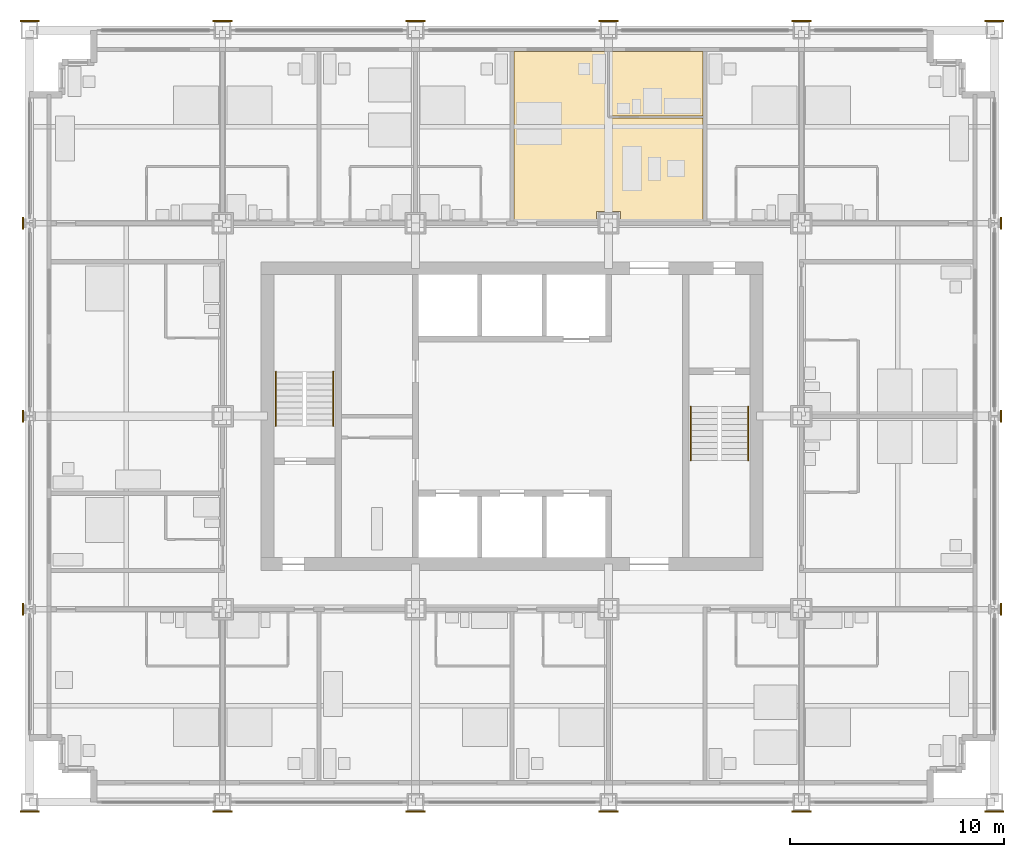
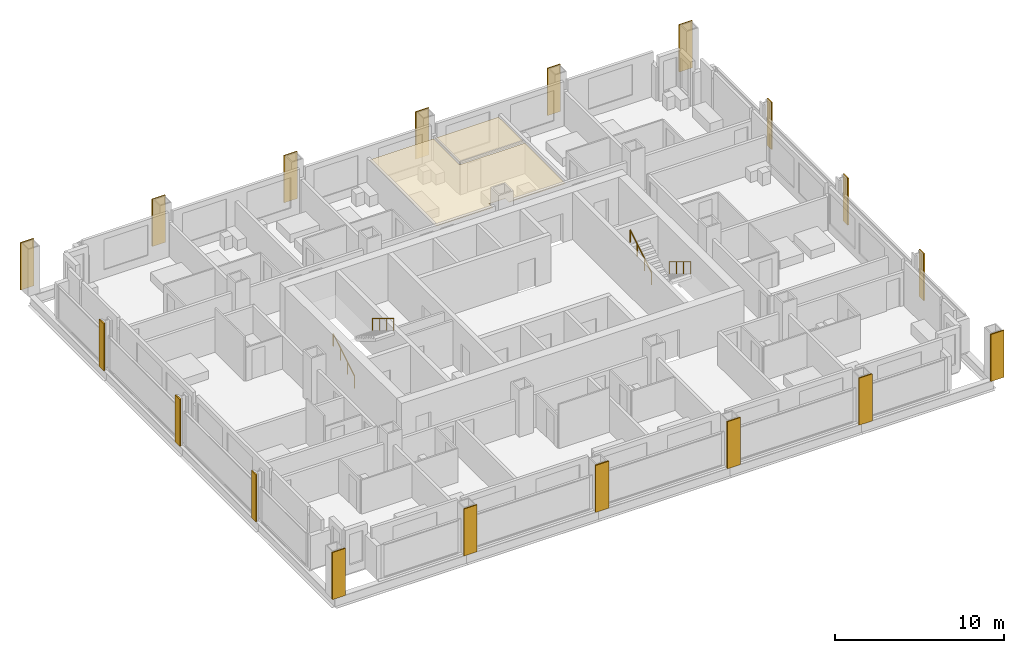
# One storey, part 14 of 16: 20 coverings, 4 railings.
"""IFC4 building model written with IfcOpenShell, lengths in metres."""

import ifcopenshell
import ifcopenshell.guid

model = None  # the IFC model being written
_history = None  # IfcOwnerHistory: only IFC2X3 demands one
_inside = {}  # id of a spatial element -> (the spatial element, [elements in it])
_under = {}  # id of a project, library or spatial element -> (it, [spatial elements below it])
_declared = {}  # id of a project -> (the project, [libraries it declares])
_typed = {}  # id of a type object -> (the type object, [elements of that type])
_made_of = {}  # id of a material, layer set ... -> (it, [elements and type objects made of it])


def new_model(schema):
    """Start an empty IFC model of exactly this schema.

    Asked for "IFC4X3", IfcOpenShell would pick the latest addendum, in which some entities
    have other attributes; the version numbers below select the first issue.
    IFC2X3 requires an IfcOwnerHistory on every rooted entity: one is made here for all.
    """
    global model, _history
    if schema == "IFC4X3":
        model = ifcopenshell.file(schema_version=(4, 3, 0, 0))
    else:
        model = ifcopenshell.file(schema=schema)
    _inside.clear()
    _under.clear()
    _declared.clear()
    _typed.clear()
    _made_of.clear()
    _history = None
    if model.schema == "IFC2X3":
        org = make("IfcOrganization", Name="unknown")
        user = make(
            "IfcPersonAndOrganization",
            ThePerson=make("IfcPerson", FamilyName="unknown"),
            TheOrganization=org,
        )
        app = make(
            "IfcApplication",
            ApplicationDeveloper=org,
            Version="unknown",
            ApplicationFullName="unknown",
            ApplicationIdentifier="unknown",
        )
        _history = make(
            "IfcOwnerHistory",
            OwningUser=user,
            OwningApplication=app,
            ChangeAction="ADDED",
            CreationDate=0,
        )
    return model


def make(cls, **values):
    """One entity of the class cls with the attributes given. An attribute that is None is left unset."""
    return model.create_entity(
        cls, **{name: value for name, value in values.items() if value is not None}
    )


def rooted(cls, **values):
    """An entity with a GlobalId (a new one), such as an element, a storey or a relation."""
    return make(cls, GlobalId=ifcopenshell.guid.new(), OwnerHistory=_history, **values)


def si_unit(unit_type, name, prefix=None):
    """IfcSIUnit, for example si_unit("LENGTHUNIT", "METRE", prefix="MILLI")."""
    return make("IfcSIUnit", UnitType=unit_type, Prefix=prefix, Name=name)


def assignment(units):
    """IfcUnitAssignment: the units of a project."""
    return None if units is None else make("IfcUnitAssignment", Units=units)


def point(xyz):
    """IfcCartesianPoint."""
    return None if xyz is None else make("IfcCartesianPoint", Coordinates=xyz)


def direction(xyz):
    """IfcDirection."""
    return None if xyz is None else make("IfcDirection", DirectionRatios=xyz)


def frame(location, z_axis=None, x_axis=None):
    """IfcAxis2Placement3D, a coordinate frame: its origin and axes. An axis left out is left unset."""
    return make(
        "IfcAxis2Placement3D",
        Location=point(location),
        Axis=direction(z_axis),
        RefDirection=direction(x_axis),
    )


def frame_2d(location, x_axis=None):
    """IfcAxis2Placement2D, a coordinate frame in the plane: its origin and x axis."""
    return make(
        "IfcAxis2Placement2D", Location=point(location), RefDirection=direction(x_axis)
    )


def origin():
    """The frame at (0, 0, 0) with its axes left unset."""
    return frame((0.0, 0.0, 0.0))


def origin_2d():
    """The frame at (0, 0) in the plane with its x axis left unset."""
    return frame_2d((0.0, 0.0))


def place(relative_to, where):
    """IfcLocalPlacement: puts the frame where relative to a parent placement (None: the world)."""
    return make(
        "IfcLocalPlacement", PlacementRelTo=relative_to, RelativePlacement=where
    )


def context(
    kind, dimensions, precision=None, world=None, true_north=None, identifier=None
):
    """IfcGeometricRepresentationContext, for example the 3D "Model" context."""
    return make(
        "IfcGeometricRepresentationContext",
        ContextIdentifier=identifier,
        ContextType=kind,
        CoordinateSpaceDimension=dimensions,
        Precision=precision,
        WorldCoordinateSystem=world,
        TrueNorth=true_north,
    )


def subcontext(parent, identifier, kind, view, scale=None):
    """IfcGeometricRepresentationSubContext, for example "Body" below "Model"."""
    return make(
        "IfcGeometricRepresentationSubContext",
        ContextIdentifier=identifier,
        ContextType=kind,
        ParentContext=parent,
        TargetScale=scale,
        TargetView=view,
    )


def project(units=None, contexts=None):
    """IfcProject with its units and contexts."""
    return rooted(
        "IfcProject",
        Name="project",
        RepresentationContexts=contexts,
        UnitsInContext=assignment(units),
    )


def spatial(cls, under=None, at=None, **own):
    """A site, building, storey or space (cls), placed at a placement, below another one or the project."""
    s = rooted(cls, ObjectPlacement=at, **own)
    if under is not None:
        _under.setdefault(under.id(), (under, []))[1].append(s)
    return s


def polyline(points):
    """IfcPolyline through the points."""
    return make("IfcPolyline", Points=[point(p) for p in points])


def profile(cls, at=None, kind="AREA", **sizes):
    """A parametric profile (cls). Its sizes go by their IFC names, for example OverallWidth=200.0."""
    return make(cls, ProfileType=kind, Position=at, **sizes)


def rectangle(**sizes):
    """IfcRectangleProfileDef."""
    return profile("IfcRectangleProfileDef", **sizes)


def circle(**sizes):
    """IfcCircleProfileDef."""
    return profile("IfcCircleProfileDef", **sizes)


def outline(outer, holes=None, kind="AREA"):
    """IfcArbitraryClosedProfileDef: a profile drawn as a closed curve; with holes, ...WithVoids."""
    if holes is None:
        return make("IfcArbitraryClosedProfileDef", ProfileType=kind, OuterCurve=outer)
    return make(
        "IfcArbitraryProfileDefWithVoids",
        ProfileType=kind,
        OuterCurve=outer,
        InnerCurves=holes,
    )


def extrude(swept, where, along, depth):
    """IfcExtrudedAreaSolid: the profile swept, set in the frame where, extruded along a direction by depth."""
    return make(
        "IfcExtrudedAreaSolid",
        SweptArea=swept,
        Position=where,
        ExtrudedDirection=direction(along),
        Depth=depth,
    )


def shape(context_of_items, identifier, shape_type, items):
    """IfcShapeRepresentation: the items that make up one representation, for example the "Body"."""
    return make(
        "IfcShapeRepresentation",
        ContextOfItems=context_of_items,
        RepresentationIdentifier=identifier,
        RepresentationType=shape_type,
        Items=items,
    )


def material(Name=None, Category=None):
    """IfcMaterial."""
    return make("IfcMaterial", Name=Name, Category=Category)


def layer(
    of_material, thickness, ventilated=None, Name=None, Category=None, Priority=None
):
    """IfcMaterialLayer: one layer of a wall or slab, of a material (None: an air gap)."""
    return make(
        "IfcMaterialLayer",
        Material=of_material,
        LayerThickness=thickness,
        IsVentilated=ventilated,
        Name=Name,
        Category=Category,
        Priority=Priority,
    )


def layer_set(layers, Name=None):
    """IfcMaterialLayerSet."""
    return make("IfcMaterialLayerSet", MaterialLayers=layers, LayerSetName=Name)


def made_of(thing, what):
    """Note that an element or type object is made of a material, layer set ...; save() writes the relation."""
    if what is not None:
        _made_of.setdefault(what.id(), (what, []))[1].append(thing)
    return thing


def type_object(cls, material=None, **own):
    """A type object (cls), such as IfcWallType, which elements share."""
    return made_of(rooted(cls, **own), material)


def element(
    cls,
    number,
    at=None,
    inside=None,
    cuts=None,
    type_object=None,
    material=None,
    context=None,
    identifier="Body",
    shape_type=None,
    held_by="IfcProductDefinitionShape",
    body=None,
    shapes=None,
    **own,
):
    """One element of the class cls, such as IfcWall. Its Tag is "e" and its number.

    at: its placement. inside: the storey or other place that contains it. cuts: it is an
    opening in that element (IfcRelVoidsElement). A single representation is given by context,
    identifier, shape_type and body (its items); several are given by shapes. held_by: the class
    of the entity that holds the representations. save() writes the other relations.
    """
    e = rooted(cls, Tag="e%d" % number, ObjectPlacement=at, **own)
    if body is not None:
        shapes = [shape(context, identifier, shape_type, body)]
    if shapes is not None:
        e.Representation = make(held_by, Representations=shapes)
    if inside is not None:
        _inside.setdefault(inside.id(), (inside, []))[1].append(e)
    if cuts is not None:
        rooted(
            "IfcRelVoidsElement", RelatingBuildingElement=cuts, RelatedOpeningElement=e
        )
    if type_object is not None:
        _typed.setdefault(type_object.id(), (type_object, []))[1].append(e)
    return made_of(e, material)


def aggregate(whole, parts):
    """IfcRelAggregates: a whole, such as a stair, and the parts it consists of."""
    return rooted("IfcRelAggregates", RelatingObject=whole, RelatedObjects=parts)


def save(model, path):
    """Write the relations noted so far, then the file.

    IfcRelAggregates (storeys below a building ...), IfcRelContainedInSpatialStructure (elements
    in a storey), IfcRelDefinesByType, IfcRelAssociatesMaterial and IfcRelDeclares: one each for
    every whole, place, type object, material and project.
    """
    for whole, parts in _under.values():
        aggregate(whole, parts)
    for where, things in _inside.values():
        rooted(
            "IfcRelContainedInSpatialStructure",
            RelatedElements=things,
            RelatingStructure=where,
        )
    for kind, things in _typed.values():
        rooted("IfcRelDefinesByType", RelatedObjects=things, RelatingType=kind)
    for what, things in _made_of.values():
        rooted("IfcRelAssociatesMaterial", RelatedObjects=things, RelatingMaterial=what)
    for by, libraries in _declared.values():
        rooted("IfcRelDeclares", RelatingContext=by, RelatedDefinitions=libraries)
    model.write(path)


model = new_model("IFC4")

# Units and contexts
model_context = context("Model", 3, precision=1e-05, world=origin(), true_north=direction((0.0, 1.0)))
body_context = subcontext(model_context, "Body", "Model", "MODEL_VIEW")
ifc_project = project(units=[si_unit("LENGTHUNIT", "METRE"), si_unit("AREAUNIT", "SQUARE_METRE"), si_unit("VOLUMEUNIT", "CUBIC_METRE"), si_unit("PLANEANGLEUNIT", "RADIAN"), si_unit("MASSUNIT", "GRAM", prefix="KILO")], contexts=[model_context])

# Site, building, storey
site_placement = place(None, origin())
site = spatial("IfcSite", under=ifc_project, at=site_placement, CompositionType="ELEMENT")
building_placement = place(site_placement, origin())
building = spatial("IfcBuilding", under=site, at=building_placement, Name="Loomwork Tower", CompositionType="ELEMENT")
storey_placement = place(building_placement, frame((0.0, 0.0, 97.60009765625)))
storey = spatial("IfcBuildingStorey", under=building, at=storey_placement, Name="L25", CompositionType="ELEMENT", Elevation=97.60009765625)

# Railings
ifc_material_1 = material(Name="Stainless steel handrail", Category="steel")
railing_type = type_object("IfcRailingType", Name="Handrail 900", PredefinedType="HANDRAIL", material=ifc_material_1)
railing_1_placement = place(storey_placement, frame((11.485107421875, 17.550048828125, 0.169921875)))
element("IfcRailing", 1, at=railing_1_placement, inside=storey, type_object=railing_type, Name="Stair A handrail flight 1 L25", PredefinedType="HANDRAIL", context=body_context, shape_type="SweptSolid", body=[
    extrude(circle(Radius=0.02392578125, at=origin_2d()), frame((0.0, 0.0, 0.8759765625), z_axis=(0.0, 0.85478489116, 0.518982456201), x_axis=(-1.0, 0.0, 0.0)), (0.0, 0.0, 1.0), 2.9482421875),
    extrude(circle(Radius=0.02099609375, at=origin_2d()), origin(), (0.0, 0.0, 1.0), 0.851806640625),
    extrude(circle(Radius=0.02099609375, at=origin_2d()), frame((0.0, 0.840087890625, 0.510009765625)), (0.0, 0.0, 1.0), 0.851806640625),
    extrude(circle(Radius=0.02099609375, at=origin_2d()), frame((0.0, 1.679931640625, 1.02001953125)), (0.0, 0.0, 1.0), 0.851806640625),
    extrude(circle(Radius=0.02099609375, at=origin_2d()), frame((0.0, 2.52001953125, 1.530029296875)), (0.0, 0.0, 1.0), 0.851806640625),
])
for number, where, name in (
    (2, (14.1650390625, 20.070068359375, 1.869873046875), "Stair A handrail flight 2 L25"),
    (3, (33.514892578125, 18.449951171875, 0.169921875), "Stair B handrail flight 1 L25"),
):
    element("IfcRailing", number, at=place(storey_placement, frame(where)), inside=storey, type_object=railing_type, Name=name, PredefinedType="HANDRAIL", context=body_context, shape_type="SweptSolid", body=[
        extrude(circle(Radius=0.02392578125, at=origin_2d()), frame((0.0, 0.0, 0.8759765625), z_axis=(0.0, -0.85478489116, 0.518982456201), x_axis=(1.0, 0.0, 0.0)), (0.0, 0.0, 1.0), 2.9482421875),
        extrude(circle(Radius=0.02099609375, at=origin_2d()), origin(), (0.0, 0.0, 1.0), 0.851806640625),
        extrude(circle(Radius=0.02099609375, at=origin_2d()), frame((0.0, -0.840087890625, 0.510009765625)), (0.0, 0.0, 1.0), 0.851806640625),
        extrude(circle(Radius=0.02099609375, at=origin_2d()), frame((0.0, -1.679931640625, 1.02001953125)), (0.0, 0.0, 1.0), 0.851806640625),
        extrude(circle(Radius=0.02099609375, at=origin_2d()), frame((0.0, -2.52001953125, 1.530029296875)), (0.0, 0.0, 1.0), 0.851806640625),
    ])
railing_2_placement = place(storey_placement, frame((30.8349609375, 15.929931640625, 1.869873046875)))
element("IfcRailing", 4, at=railing_2_placement, inside=storey, type_object=railing_type, Name="Stair B handrail flight 2 L25", PredefinedType="HANDRAIL", context=body_context, shape_type="SweptSolid", body=[
    extrude(circle(Radius=0.02392578125, at=origin_2d()), frame((0.0, 0.0, 0.8759765625), z_axis=(0.0, 0.85478489116, 0.518982456201), x_axis=(-1.0, 0.0, 0.0)), (0.0, 0.0, 1.0), 2.9482421875),
    extrude(circle(Radius=0.02099609375, at=origin_2d()), origin(), (0.0, 0.0, 1.0), 0.851806640625),
    extrude(circle(Radius=0.02099609375, at=origin_2d()), frame((0.0, 0.840087890625, 0.510009765625)), (0.0, 0.0, 1.0), 0.851806640625),
    extrude(circle(Radius=0.02099609375, at=origin_2d()), frame((0.0, 1.679931640625, 1.02001953125)), (0.0, 0.0, 1.0), 0.851806640625),
    extrude(circle(Radius=0.02099609375, at=origin_2d()), frame((0.0, 2.52001953125, 1.530029296875)), (0.0, 0.0, 1.0), 0.851806640625),
])

# Coverings
ifc_material_2 = material(Name="Limestone", Category="masonry")
ifc_layer_1 = layer(ifc_material_2, 0.080078125)
ifc_layer_set_1 = layer_set([ifc_layer_1], Name="Limestone pier facing 80")
covering_type_1 = type_object("IfcCoveringType", Name="Limestone pier facing 80", PredefinedType="CLADDING", material=ifc_layer_set_1)
covering_1_placement = place(storey_placement, frame((0.0, -0.43994140625, 0.0), z_axis=(0.0, 0.0, 1.0), x_axis=(1.0, 0.0, 0.0)))
element("IfcCovering", 5, at=covering_1_placement, inside=storey, type_object=covering_type_1, Name="Pier facing D/2 L25", PredefinedType="CLADDING", context=body_context, shape_type="SweptSolid", body=[
    extrude(rectangle(XDim=0.89990234375, YDim=0.080078125, at=origin_2d()), origin(), (0.0, 0.0, 1.0), 3.39990234375),
])
for number, where, z_axis, x_axis, name in (
    (6, (-0.314208984375, 9.0, 0.0), (0.0, 0.0, 1.0), (1.0, 0.0, 0.0), "Pier facing E/2 L25"),
    (7, (-0.314208984375, 18.0, 0.0), (0.0, 0.0, 1.0), (1.0, 0.0, 0.0), "Pier facing F/2 L25"),
    (8, (-0.314208984375, 27.0, 0.0), (0.0, 0.0, 1.0), (1.0, 0.0, 0.0), "Pier facing G/2 L25"),
):
    element("IfcCovering", number, at=place(storey_placement, frame(where, z_axis=z_axis, x_axis=x_axis)), inside=storey, type_object=covering_type_1, Name=name, PredefinedType="CLADDING", context=body_context, shape_type="SweptSolid", body=[
        extrude(rectangle(XDim=0.080078125, YDim=0.549560546875, at=origin_2d()), origin(), (0.0, 0.0, 1.0), 3.39990234375),
    ])
for number, where, z_axis, x_axis, name in (
    (9, (0.0, 36.43994140625, 0.0), (0.0, 0.0, 1.0), (1.0, 0.0, 0.0), "Pier facing H/2 L25"),
    (10, (9.0, -0.43994140625, 0.0), (0.0, 0.0, 1.0), (1.0, 0.0, 0.0), "Pier facing D/3 L25"),
    (11, (9.0, 36.43994140625, 0.0), (0.0, 0.0, 1.0), (1.0, 0.0, 0.0), "Pier facing H/3 L25"),
    (12, (18.0, -0.43994140625, 0.0), (0.0, 0.0, 1.0), (1.0, 0.0, 0.0), "Pier facing D/4 L25"),
    (13, (18.0, 36.43994140625, 0.0), (0.0, 0.0, 1.0), (1.0, 0.0, 0.0), "Pier facing H/4 L25"),
    (14, (27.0, -0.43994140625, 0.0), (0.0, 0.0, 1.0), (1.0, 0.0, 0.0), "Pier facing D/5 L25"),
    (15, (27.0, 36.43994140625, 0.0), (0.0, 0.0, 1.0), (1.0, 0.0, 0.0), "Pier facing H/5 L25"),
    (16, (36.0, -0.43994140625, 0.0), (0.0, 0.0, 1.0), (1.0, 0.0, 0.0), "Pier facing D/6 L25"),
    (17, (36.0, 36.43994140625, 0.0), (0.0, 0.0, 1.0), (1.0, 0.0, 0.0), "Pier facing H/6 L25"),
    (18, (45.0, -0.43994140625, 0.0), (0.0, 0.0, 1.0), (1.0, 0.0, 0.0), "Pier facing D/7 L25"),
):
    element("IfcCovering", number, at=place(storey_placement, frame(where, z_axis=z_axis, x_axis=x_axis)), inside=storey, type_object=covering_type_1, Name=name, PredefinedType="CLADDING", context=body_context, shape_type="SweptSolid", body=[
        extrude(rectangle(XDim=0.89990234375, YDim=0.080078125, at=origin_2d()), origin(), (0.0, 0.0, 1.0), 3.39990234375),
    ])
for number, where, z_axis, x_axis, name in (
    (19, (45.314208984375, 9.0, 0.0), (0.0, 0.0, 1.0), (1.0, 0.0, 0.0), "Pier facing E/7 L25"),
    (20, (45.314208984375, 18.0, 0.0), (0.0, 0.0, 1.0), (1.0, 0.0, 0.0), "Pier facing F/7 L25"),
    (21, (45.314208984375, 27.0, 0.0), (0.0, 0.0, 1.0), (1.0, 0.0, 0.0), "Pier facing G/7 L25"),
):
    element("IfcCovering", number, at=place(storey_placement, frame(where, z_axis=z_axis, x_axis=x_axis)), inside=storey, type_object=covering_type_1, Name=name, PredefinedType="CLADDING", context=body_context, shape_type="SweptSolid", body=[
        extrude(rectangle(XDim=0.080078125, YDim=0.549560546875, at=origin_2d()), origin(), (0.0, 0.0, 1.0), 3.39990234375),
    ])
covering_2_placement = place(storey_placement, frame((45.0, 36.43994140625, 0.0), z_axis=(0.0, 0.0, 1.0), x_axis=(1.0, 0.0, 0.0)))
element("IfcCovering", 22, at=covering_2_placement, inside=storey, type_object=covering_type_1, Name="Pier facing H/7 L25", PredefinedType="CLADDING", context=body_context, shape_type="SweptSolid", body=[
    extrude(rectangle(XDim=0.89990234375, YDim=0.080078125, at=origin_2d()), origin(), (0.0, 0.0, 1.0), 3.39990234375),
])
ifc_material_3 = material(Name="Mineral fibre acoustic tile on suspension grid")
ifc_layer_2 = layer(ifc_material_3, 0.02490234375)
ifc_layer_set_2 = layer_set([ifc_layer_2], Name="Suspended acoustic ceiling")
covering_type_2 = type_object("IfcCoveringType", Name="Suspended acoustic ceiling", PredefinedType="CEILING", material=ifc_layer_set_2)
covering_3_placement = place(storey_placement, frame((0.0, 0.0, 2.1748046875)))
element("IfcCovering", 23, at=covering_3_placement, inside=storey, type_object=covering_type_2, Name="Ceiling Spa bathroom L25", PredefinedType="CEILING", context=body_context, shape_type="SweptSolid", body=[
    extrude(outline(polyline([(27.050048828125, 35.0), (31.39990234375, 35.0), (31.39990234375, 32.0), (27.050048828125, 32.0), (27.050048828125, 35.0)])), origin(), (0.0, 0.0, 1.0), 0.025146484375),
])
covering_4_placement = place(storey_placement, frame((0.0, 0.0, 2.1748046875)))
element("IfcCovering", 24, at=covering_4_placement, inside=storey, type_object=covering_type_2, Name="Ceiling Spa suite L25", PredefinedType="CEILING", context=body_context, shape_type="SweptSolid", body=[
    extrude(outline(polyline([(22.60009765625, 35.0), (26.949951171875, 35.0), (26.949951171875, 31.89990234375), (31.39990234375, 31.89990234375), (31.39990234375, 27.10009765625), (27.550048828125, 27.10009765625), (27.550048828125, 27.550048828125), (26.449951171875, 27.550048828125), (26.449951171875, 27.10009765625), (22.60009765625, 27.10009765625), (22.60009765625, 35.0)])), origin(), (0.0, 0.0, 1.0), 0.025146484375),
])

save(model, "model.ifc")
